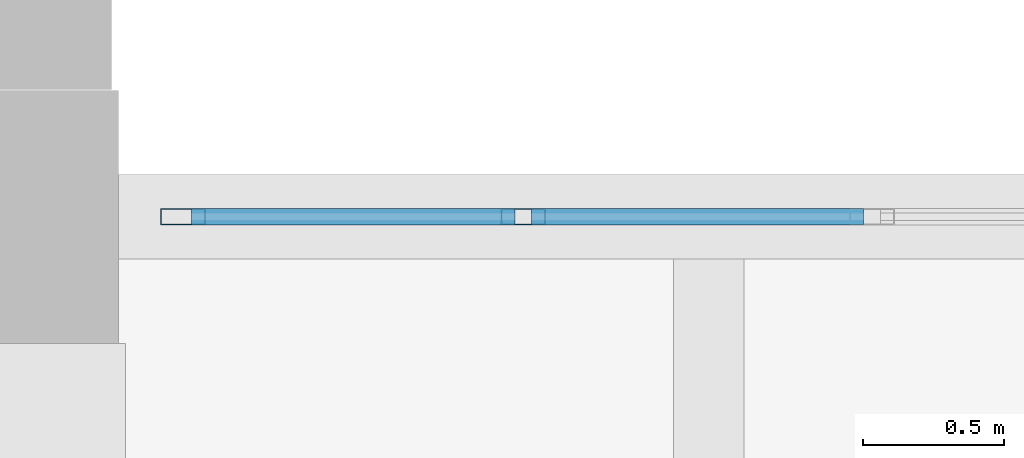
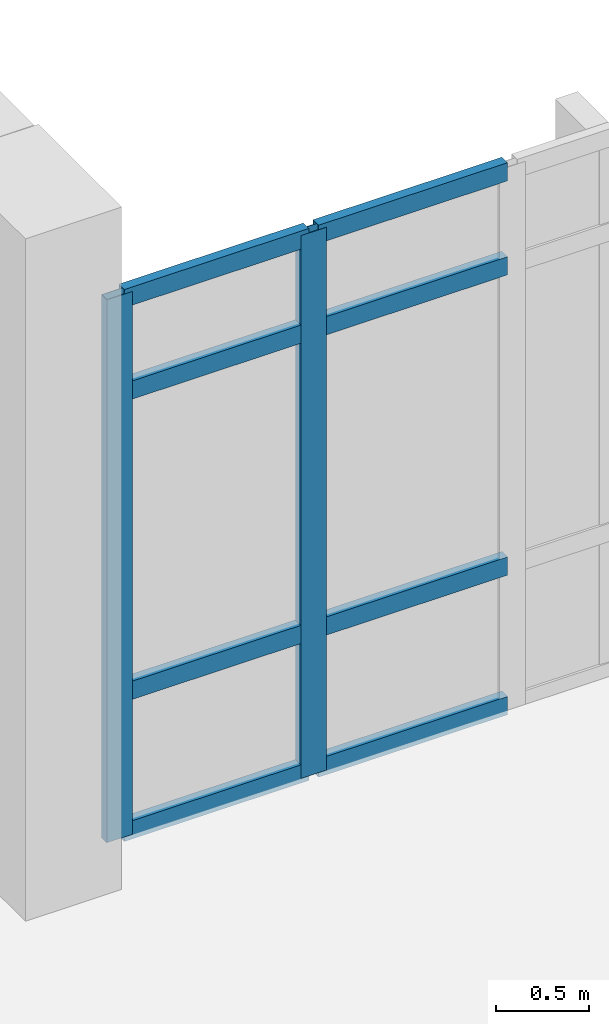
# One storey, part 62 of 116: 10 members, 1 element without a shape of its own.
"""IFC4 building model written with IfcOpenShell, lengths in metres."""

from ifc_helpers import new_model, si_unit, direction, frame, origin, origin_2d, place, context, subcontext, project, spatial, hollow_rectangle, extrude, material, material_profile, profile_set, type_object, element, aggregate, save


model = new_model("IFC4")

# Units and contexts
model_context = context("Model", 3, precision=1e-05, world=origin(), true_north=direction((0.0, 1.0)))
body_context = subcontext(model_context, "Body", "Model", "MODEL_VIEW")
ifc_project = project(units=[si_unit("LENGTHUNIT", "METRE"), si_unit("AREAUNIT", "SQUARE_METRE"), si_unit("VOLUMEUNIT", "CUBIC_METRE"), si_unit("PLANEANGLEUNIT", "RADIAN"), si_unit("MASSUNIT", "GRAM", prefix="KILO")], contexts=[model_context])

# Site, building, storey
site_placement = place(None, origin())
site = spatial("IfcSite", under=ifc_project, at=site_placement, CompositionType="ELEMENT")
building_placement = place(site_placement, origin())
building = spatial("IfcBuilding", under=site, at=building_placement, Name="Kalluvel Institute of Natural Sciences", CompositionType="ELEMENT")
storey_placement = place(building_placement, frame((0.0, 0.0, 14.39990234375)))
storey = spatial("IfcBuildingStorey", under=building, at=storey_placement, Name="L03", CompositionType="ELEMENT", Elevation=14.39990234375)

# Curtain wall, members
ifc_material = material(Name="Aluminium AW-6063 T6", Category="aluminium")
curtain_wall_type = type_object("IfcCurtainWallType", Name="CW-WET-45", PredefinedType="USERDEFINED", material=ifc_material)
curtain_wall_placement = place(storey_placement, origin())
curtain_wall = element("IfcCurtainWall", 1, at=curtain_wall_placement, inside=storey, type_object=curtain_wall_type, Name="L03 Gothic lancet curtain wall CWA-L03-X433-Y1280", ObjectType="UNITISED LANCET FACADE", PredefinedType="USERDEFINED")
ifc_material_profile_1 = material_profile(ifc_material, hollow_rectangle(XDim=0.06005859375, YDim=0.159912109375, WallThickness=0.00390625, at=origin_2d()), Name="CWM 60x160")
ifc_profile_set_1 = profile_set([ifc_material_profile_1], Name="Aluminium AW-6063 T6")
member_type_1 = type_object("IfcMemberType", Name="CWM-60x160", PredefinedType="MULLION", material=ifc_profile_set_1)
member_1_placement = place(storey_placement, frame((43.330078125, 128.0, 0.0), z_axis=(0.0, 0.0, 1.0), x_axis=(0.0, 1.0, 0.0)))
member_1 = element("IfcMember", 2, at=member_1_placement, type_object=member_type_1, Name="CW-01 mullion 1", PredefinedType="MULLION", context=body_context, shape_type="SweptSolid", body=[
    extrude(hollow_rectangle(XDim=0.06005859375, YDim=0.159912109375, WallThickness=0.00390625, at=origin_2d()), origin(), (0.0, 0.0, 1.0), 3.580078125),
])
member_2_placement = place(storey_placement, frame((44.5400390625, 128.0, 0.0), z_axis=(0.0, 0.0, 1.0), x_axis=(0.0, 1.0, 0.0)))
member_2 = element("IfcMember", 3, at=member_2_placement, type_object=member_type_1, Name="CW-01 mullion 2", PredefinedType="MULLION", context=body_context, shape_type="SweptSolid", body=[
    extrude(hollow_rectangle(XDim=0.06005859375, YDim=0.159912109375, WallThickness=0.00390625, at=origin_2d()), origin(), (0.0, 0.0, 1.0), 3.580078125),
])
ifc_material_profile_2 = material_profile(ifc_material, hollow_rectangle(XDim=0.06005859375, YDim=0.1201171875, WallThickness=0.00390625, at=origin_2d()), Name="CWT 60x120")
ifc_profile_set_2 = profile_set([ifc_material_profile_2], Name="Aluminium AW-6063 T6")
member_type_2 = type_object("IfcMemberType", Name="CWT-60x120", PredefinedType="USERDEFINED", material=ifc_profile_set_2)
member_3_placement = place(storey_placement, frame((43.360107421875, 128.0, 0.030029296875), z_axis=(1.0, 0.0, 0.0), x_axis=(0.0, 1.0, 0.0)))
member_3 = element("IfcMember", 4, at=member_3_placement, type_object=member_type_2, Name="CW-01 transom 1.1", ObjectType="TRANSOM", PredefinedType="USERDEFINED", context=body_context, shape_type="SweptSolid", body=[
    extrude(hollow_rectangle(XDim=0.06005859375, YDim=0.1201171875, WallThickness=0.00390625, at=origin_2d()), origin(), (0.0, 0.0, 1.0), 1.14990234375),
])
member_4_placement = place(storey_placement, frame((43.360107421875, 128.0, 0.9501953125), z_axis=(1.0, 0.0, 0.0), x_axis=(0.0, 1.0, 0.0)))
member_4 = element("IfcMember", 5, at=member_4_placement, type_object=member_type_2, Name="CW-01 transom 1.2", ObjectType="TRANSOM", PredefinedType="USERDEFINED", context=body_context, shape_type="SweptSolid", body=[
    extrude(hollow_rectangle(XDim=0.06005859375, YDim=0.1201171875, WallThickness=0.00390625, at=origin_2d()), origin(), (0.0, 0.0, 1.0), 1.14990234375),
])
member_5_placement = place(storey_placement, frame((43.360107421875, 128.0, 2.93017578125), z_axis=(1.0, 0.0, 0.0), x_axis=(0.0, 1.0, 0.0)))
member_5 = element("IfcMember", 6, at=member_5_placement, type_object=member_type_2, Name="CW-01 transom 1.3", ObjectType="TRANSOM", PredefinedType="USERDEFINED", context=body_context, shape_type="SweptSolid", body=[
    extrude(hollow_rectangle(XDim=0.06005859375, YDim=0.1201171875, WallThickness=0.00390625, at=origin_2d()), origin(), (0.0, 0.0, 1.0), 1.14990234375),
])
member_6_placement = place(storey_placement, frame((43.360107421875, 128.0, 3.550048828125), z_axis=(1.0, 0.0, 0.0), x_axis=(0.0, 1.0, 0.0)))
member_6 = element("IfcMember", 7, at=member_6_placement, type_object=member_type_2, Name="CW-01 transom 1.4", ObjectType="TRANSOM", PredefinedType="USERDEFINED", context=body_context, shape_type="SweptSolid", body=[
    extrude(hollow_rectangle(XDim=0.06005859375, YDim=0.1201171875, WallThickness=0.00390625, at=origin_2d()), origin(), (0.0, 0.0, 1.0), 1.14990234375),
])
member_7_placement = place(storey_placement, frame((44.570068359375, 128.0, 0.030029296875), z_axis=(1.0, 0.0, 0.0), x_axis=(0.0, 1.0, 0.0)))
member_7 = element("IfcMember", 8, at=member_7_placement, type_object=member_type_2, Name="CW-01 transom 2.1", ObjectType="TRANSOM", PredefinedType="USERDEFINED", context=body_context, shape_type="SweptSolid", body=[
    extrude(hollow_rectangle(XDim=0.06005859375, YDim=0.1201171875, WallThickness=0.00390625, at=origin_2d()), origin(), (0.0, 0.0, 1.0), 1.179931640625),
])
member_8_placement = place(storey_placement, frame((44.570068359375, 128.0, 0.9501953125), z_axis=(1.0, 0.0, 0.0), x_axis=(0.0, 1.0, 0.0)))
member_8 = element("IfcMember", 9, at=member_8_placement, type_object=member_type_2, Name="CW-01 transom 2.2", ObjectType="TRANSOM", PredefinedType="USERDEFINED", context=body_context, shape_type="SweptSolid", body=[
    extrude(hollow_rectangle(XDim=0.06005859375, YDim=0.1201171875, WallThickness=0.00390625, at=origin_2d()), origin(), (0.0, 0.0, 1.0), 1.179931640625),
])
member_9_placement = place(storey_placement, frame((44.570068359375, 128.0, 2.93017578125), z_axis=(1.0, 0.0, 0.0), x_axis=(0.0, 1.0, 0.0)))
member_9 = element("IfcMember", 10, at=member_9_placement, type_object=member_type_2, Name="CW-01 transom 2.3", ObjectType="TRANSOM", PredefinedType="USERDEFINED", context=body_context, shape_type="SweptSolid", body=[
    extrude(hollow_rectangle(XDim=0.06005859375, YDim=0.1201171875, WallThickness=0.00390625, at=origin_2d()), origin(), (0.0, 0.0, 1.0), 1.179931640625),
])
member_10_placement = place(storey_placement, frame((44.570068359375, 128.0, 3.550048828125), z_axis=(1.0, 0.0, 0.0), x_axis=(0.0, 1.0, 0.0)))
member_10 = element("IfcMember", 11, at=member_10_placement, type_object=member_type_2, Name="CW-01 transom 2.4", ObjectType="TRANSOM", PredefinedType="USERDEFINED", context=body_context, shape_type="SweptSolid", body=[
    extrude(hollow_rectangle(XDim=0.06005859375, YDim=0.1201171875, WallThickness=0.00390625, at=origin_2d()), origin(), (0.0, 0.0, 1.0), 1.179931640625),
])
aggregate(curtain_wall, [member_1, member_2, member_3, member_4, member_5, member_6, member_7, member_8, member_9, member_10])

save(model, "model.ifc")
